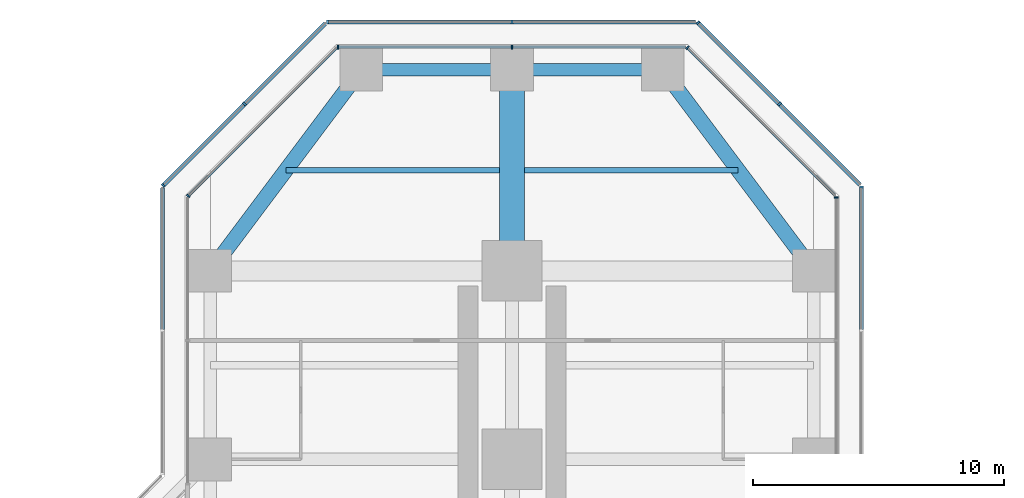
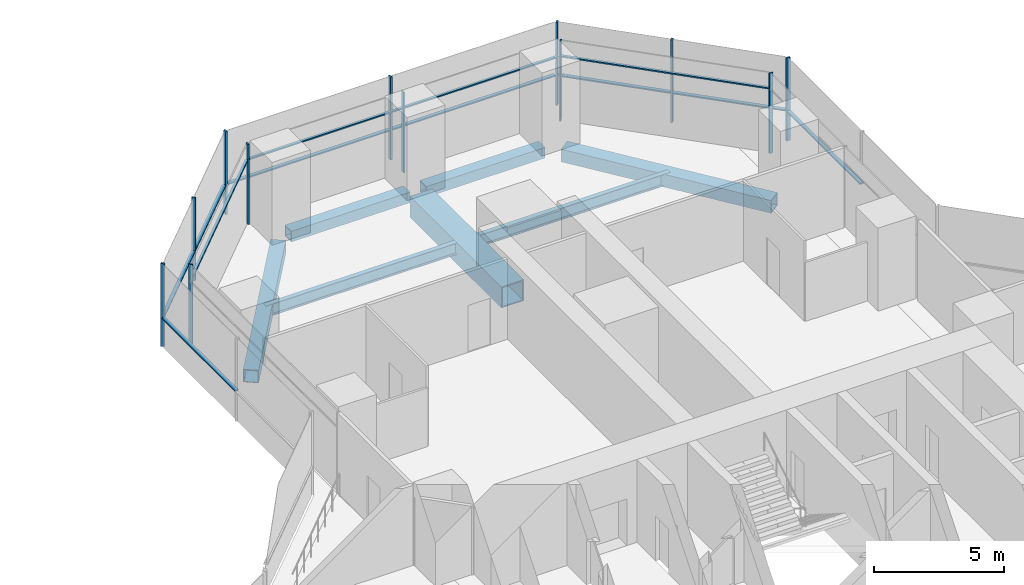
# One storey, part 13 of 22: 24 members, 7 beams, 9 elements without a shape of their own.
"""IFC4 building model written with IfcOpenShell, lengths in metres."""

from ifc_helpers import new_model, si_unit, direction, frame, origin, origin_2d, place, context, subcontext, project, spatial, rectangle, hollow_rectangle, i_section, extrude, material, material_profile, profile_set, type_object, element, aggregate, save


model = new_model("IFC4")

# Units and contexts
model_context = context("Model", 3, precision=1e-05, world=origin(), true_north=direction((0.0, 1.0)))
body_context = subcontext(model_context, "Body", "Model", "MODEL_VIEW")
ifc_project = project(units=[si_unit("LENGTHUNIT", "METRE"), si_unit("AREAUNIT", "SQUARE_METRE"), si_unit("VOLUMEUNIT", "CUBIC_METRE"), si_unit("PLANEANGLEUNIT", "RADIAN"), si_unit("MASSUNIT", "GRAM", prefix="KILO")], contexts=[model_context])

# Site, building, storey
site_placement = place(None, origin())
site = spatial("IfcSite", under=ifc_project, at=site_placement, CompositionType="ELEMENT")
building_placement = place(site_placement, origin())
building = spatial("IfcBuilding", under=site, at=building_placement, Name="Mizan Broadcast Tower", CompositionType="ELEMENT")
storey_placement = place(building_placement, frame((0.0, 0.0, 78.60009765625)))
storey = spatial("IfcBuildingStorey", under=building, at=storey_placement, Name="L16", CompositionType="ELEMENT", Elevation=78.60009765625)

# Beams
ifc_material_1 = material(Name="Steel S355", Category="steel")
ifc_material_profile_1 = material_profile(ifc_material_1, hollow_rectangle(XDim=0.5, YDim=0.5, WallThickness=0.030029296875, at=origin_2d()), Name="BOX 500x500x30")
ifc_profile_set_1 = profile_set([ifc_material_profile_1], Name="Steel S355")
beam_type_1 = type_object("IfcBeamType", Name="EDGE BEAM BOX 500x500x30", PredefinedType="SPANDREL", material=ifc_profile_set_1)
for number, where, z_axis, x_axis, name in (
    (1, (5.639892578125, 35.0, -0.380126953125), (-1.0, 0.0, 0.0), (0.0, -1.0, 0.0), "Edge beam BOX 500x500x30 L16 north arm"),
    (2, (-5.639892578125, 35.0, -0.380126953125), (1.0, 0.0, 0.0), (0.0, 1.0, 0.0), "Edge beam BOX 500x500x30 L16 north arm"),
):
    element("IfcBeam", number, at=place(storey_placement, frame(where, z_axis=z_axis, x_axis=x_axis)), inside=storey, type_object=beam_type_1, Name=name, PredefinedType="SPANDREL", context=body_context, shape_type="SweptSolid", body=[
        extrude(hollow_rectangle(XDim=0.5, YDim=0.5, WallThickness=0.030029296875, at=origin_2d()), origin(), (0.0, 0.0, 1.0), 5.27978515625),
    ])
ifc_material_2 = material(Name="Steel S355", Category="steel")
ifc_material_profile_2 = material_profile(ifc_material_2, hollow_rectangle(XDim=0.60009765625, YDim=0.60009765625, WallThickness=0.030029296875, at=origin_2d()), Name="BOX 600x600x30")
ifc_profile_set_2 = profile_set([ifc_material_profile_2], Name="Steel S355")
beam_type_2 = type_object("IfcBeamType", Name="EDGE BEAM BOX 600x600x30", PredefinedType="SPANDREL", material=ifc_profile_set_2)
for number, where, z_axis, x_axis, name in (
    (3, (11.639892578125, 27.47998046875, -0.43017578125), (-0.599982243973, 0.800013316712, 0.0), (-0.800013316712, -0.599982243973, 0.0), "Edge beam BOX 600x600x30 L16 north arm"),
    (4, (-11.639892578125, 27.47998046875, -0.43017578125), (0.599982243973, 0.800013316712, 0.0), (-0.800013316712, 0.599982243973, 0.0), "Edge beam BOX 600x600x30 L16 north arm"),
):
    element("IfcBeam", number, at=place(storey_placement, frame(where, z_axis=z_axis, x_axis=x_axis)), inside=storey, type_object=beam_type_2, Name=name, PredefinedType="SPANDREL", context=body_context, shape_type="SweptSolid", body=[
        extrude(hollow_rectangle(XDim=0.60009765625, YDim=0.60009765625, WallThickness=0.030029296875, at=origin_2d()), origin(), (0.0, 0.0, 1.0), 8.7998046875),
    ])
ifc_material_3 = material(Name="Steel S460", Category="steel")
ifc_material_profile_3 = material_profile(ifc_material_3, hollow_rectangle(XDim=1.0, YDim=1.0, WallThickness=0.06005859375, at=origin_2d()), Name="BOX 1000x1000x60")
ifc_profile_set_3 = profile_set([ifc_material_profile_3], Name="Steel S460")
beam_type_3 = type_object("IfcBeamType", Name="GIRDER BOX 1000x1000x60", PredefinedType="BEAM", material=ifc_profile_set_3)
beam_placement = place(storey_placement, frame((0.0, 27.47998046875, -0.630126953125), z_axis=(0.0, 1.0, 0.0), x_axis=(-1.0, 0.0, 0.0)))
element("IfcBeam", 5, at=beam_placement, inside=storey, type_object=beam_type_3, Name="Girder BOX 1000x1000x60 L16 north arm", PredefinedType="BEAM", context=body_context, shape_type="SweptSolid", body=[
    extrude(hollow_rectangle(XDim=1.0, YDim=1.0, WallThickness=0.06005859375, at=origin_2d()), origin(), (0.0, 0.0, 1.0), 7.0400390625),
])

# Curtain wall, member
ifc_material_4 = material(Name="Aluminium framed glazing", Category="aluminium")
curtain_wall_type_1 = type_object("IfcCurtainWallType", Name="INNER SKIN LOW ZONE", PredefinedType="USERDEFINED", material=ifc_material_4)
curtain_wall_1_placement = place(storey_placement, origin())
curtain_wall_1 = element("IfcCurtainWall", 6, at=curtain_wall_1_placement, inside=storey, type_object=curtain_wall_type_1, Name="Inner skin low zone L16 N side", ObjectType="INNER SKIN LOW ZONE", PredefinedType="USERDEFINED")
ifc_material_5 = material(Name="Aluminium, pale anodised", Category="aluminium")
ifc_material_profile_4 = material_profile(ifc_material_5, rectangle(XDim=0.159912109375, YDim=0.06005859375, at=origin_2d()), Name="MULLION 160x60")
ifc_profile_set_4 = profile_set([ifc_material_profile_4], Name="Aluminium, pale anodised")
member_type_1 = type_object("IfcMemberType", Name="INNER SKIN MULLION 60x160", PredefinedType="MULLION", material=ifc_profile_set_4)
member_1_placement = place(storey_placement, frame((12.89990234375, 29.928466796875, 0.0), z_axis=(0.0, 0.0, 1.0), x_axis=(-1.0, 0.0, 0.0)))
member_1 = element("IfcMember", 7, at=member_1_placement, type_object=member_type_1, Name="Inner skin low zone L16 N side mullion 3", PredefinedType="MULLION", context=body_context, shape_type="SweptSolid", body=[
    extrude(rectangle(XDim=0.159912109375, YDim=0.06005859375, at=origin_2d()), origin(), (0.0, 0.0, 1.0), 3.77001953125),
])
aggregate(curtain_wall_1, [member_1])

curtain_wall_2_placement = place(storey_placement, origin())
curtain_wall_2 = element("IfcCurtainWall", 8, at=curtain_wall_2_placement, inside=storey, type_object=curtain_wall_type_1, Name="Inner skin low zone L16 N chamfer", ObjectType="INNER SKIN LOW ZONE", PredefinedType="USERDEFINED")
member_2_placement = place(storey_placement, frame((6.979736328125, 35.87890625, 0.0), z_axis=(0.0, 0.0, 1.0), x_axis=(-0.707106781187, -0.707106781187, 0.0)))
member_2 = element("IfcMember", 9, at=member_2_placement, type_object=member_type_1, Name="Inner skin low zone L16 N chamfer mullion 2", PredefinedType="MULLION", context=body_context, shape_type="SweptSolid", body=[
    extrude(rectangle(XDim=0.159912109375, YDim=0.06005859375, at=origin_2d()), origin(), (0.0, 0.0, 1.0), 3.77001953125),
])

# Curtain wall, members
curtain_wall_3_placement = place(storey_placement, origin())
curtain_wall_3 = element("IfcCurtainWall", 10, at=curtain_wall_3_placement, inside=storey, type_object=curtain_wall_type_1, Name="Inner skin low zone L16 N end", ObjectType="INNER SKIN LOW ZONE", PredefinedType="USERDEFINED")
member_3_placement = place(storey_placement, frame((0.0, 35.89990234375, 0.0), z_axis=(0.0, 0.0, 1.0), x_axis=(0.0, -1.0, 0.0)))
member_3 = element("IfcMember", 11, at=member_3_placement, type_object=member_type_1, Name="Inner skin low zone L16 N end mullion 2", PredefinedType="MULLION", context=body_context, shape_type="SweptSolid", body=[
    extrude(rectangle(XDim=0.159912109375, YDim=0.06005859375, at=origin_2d()), origin(), (0.0, 0.0, 1.0), 3.77001953125),
])
member_4_placement = place(storey_placement, frame((-6.928466796875, 35.89990234375, 0.0), z_axis=(0.0, 0.0, 1.0), x_axis=(0.0, -1.0, 0.0)))
member_4 = element("IfcMember", 12, at=member_4_placement, type_object=member_type_1, Name="Inner skin low zone L16 N end mullion 3", PredefinedType="MULLION", context=body_context, shape_type="SweptSolid", body=[
    extrude(rectangle(XDim=0.159912109375, YDim=0.06005859375, at=origin_2d()), origin(), (0.0, 0.0, 1.0), 3.77001953125),
])

# Curtain wall, member
curtain_wall_4_placement = place(storey_placement, origin())
curtain_wall_4 = element("IfcCurtainWall", 13, at=curtain_wall_4_placement, inside=storey, type_object=curtain_wall_type_1, Name="Inner skin low zone L16 N chamfer", ObjectType="INNER SKIN LOW ZONE", PredefinedType="USERDEFINED")
member_5_placement = place(storey_placement, frame((-12.87890625, 29.979736328125, 0.0), z_axis=(0.0, 0.0, 1.0), x_axis=(0.707106781187, -0.707106781187, 0.0)))
member_5 = element("IfcMember", 14, at=member_5_placement, type_object=member_type_1, Name="Inner skin low zone L16 N chamfer mullion 2", PredefinedType="MULLION", context=body_context, shape_type="SweptSolid", body=[
    extrude(rectangle(XDim=0.159912109375, YDim=0.06005859375, at=origin_2d()), origin(), (0.0, 0.0, 1.0), 3.77001953125),
])

# Member
ifc_material_6 = material(Name="Aluminium, pale anodised", Category="aluminium")
ifc_material_profile_5 = material_profile(ifc_material_6, rectangle(XDim=0.1201171875, YDim=0.06005859375, at=origin_2d()), Name="TRANSOM 120x60")
ifc_profile_set_5 = profile_set([ifc_material_profile_5], Name="Aluminium, pale anodised")
member_type_2 = type_object("IfcMemberType", Name="INNER SKIN TRANSOM 60x120", PredefinedType="USERDEFINED", material=ifc_profile_set_5)
member_6_placement = place(storey_placement, frame((12.857666015625, 30.0009765625, 3.02978515625), z_axis=(-0.707106781187, 0.707106781187, 0.0), x_axis=(-0.707106781187, -0.707106781187, 0.0)))
member_6 = element("IfcMember", 15, at=member_6_placement, type_object=member_type_2, Name="Inner skin low zone L16 N chamfer transom 1.1", ObjectType="TRANSOM", PredefinedType="USERDEFINED", context=body_context, shape_type="SweptSolid", body=[
    extrude(rectangle(XDim=0.1201171875, YDim=0.06005859375, at=origin_2d()), origin(), (0.0, 0.0, 1.0), 8.28271484375),
])

aggregate(curtain_wall_2, [member_2, member_6])

member_7_placement = place(storey_placement, frame((6.898681640625, 35.89990234375, 3.02978515625), z_axis=(-1.0, 0.0, 0.0), x_axis=(0.0, -1.0, 0.0)))
member_7 = element("IfcMember", 16, at=member_7_placement, type_object=member_type_2, Name="Inner skin low zone L16 N end transom 1.1", ObjectType="TRANSOM", PredefinedType="USERDEFINED", context=body_context, shape_type="SweptSolid", body=[
    extrude(rectangle(XDim=0.1201171875, YDim=0.06005859375, at=origin_2d()), origin(), (0.0, 0.0, 1.0), 6.86865234375),
])

member_8_placement = place(storey_placement, frame((-0.030029296875, 35.89990234375, 3.02978515625), z_axis=(-1.0, 0.0, 0.0), x_axis=(0.0, -1.0, 0.0)))
member_8 = element("IfcMember", 17, at=member_8_placement, type_object=member_type_2, Name="Inner skin low zone L16 N end transom 2.1", ObjectType="TRANSOM", PredefinedType="USERDEFINED", context=body_context, shape_type="SweptSolid", body=[
    extrude(rectangle(XDim=0.1201171875, YDim=0.06005859375, at=origin_2d()), origin(), (0.0, 0.0, 1.0), 6.86865234375),
])

aggregate(curtain_wall_3, [member_3, member_4, member_7, member_8])

member_9_placement = place(storey_placement, frame((-7.0009765625, 35.857666015625, 3.02978515625), z_axis=(-0.707106781187, -0.707106781187, 0.0), x_axis=(0.707106781187, -0.707106781187, 0.0)))
member_9 = element("IfcMember", 18, at=member_9_placement, type_object=member_type_2, Name="Inner skin low zone L16 N chamfer transom 1.1", ObjectType="TRANSOM", PredefinedType="USERDEFINED", context=body_context, shape_type="SweptSolid", body=[
    extrude(rectangle(XDim=0.1201171875, YDim=0.06005859375, at=origin_2d()), origin(), (0.0, 0.0, 1.0), 8.28271484375),
])

aggregate(curtain_wall_4, [member_5, member_9])

# Curtain wall, member
ifc_material_7 = material(Name="Aluminium framed glazing", Category="aluminium")
curtain_wall_type_2 = type_object("IfcCurtainWallType", Name="OUTER SKIN", PredefinedType="USERDEFINED", material=ifc_material_7)
curtain_wall_5_placement = place(storey_placement, origin())
curtain_wall_5 = element("IfcCurtainWall", 19, at=curtain_wall_5_placement, inside=storey, type_object=curtain_wall_type_2, Name="Outer skin L16 N side", ObjectType="OUTER SKIN", PredefinedType="USERDEFINED")
ifc_material_8 = material(Name="Aluminium, pale anodised", Category="aluminium")
ifc_material_profile_6 = material_profile(ifc_material_8, rectangle(XDim=0.159912109375, YDim=0.080078125, at=origin_2d()), Name="MULLION 160x80")
ifc_profile_set_6 = profile_set([ifc_material_profile_6], Name="Aluminium, pale anodised")
member_type_3 = type_object("IfcMemberType", Name="OUTER SKIN MULLION 80x160", PredefinedType="MULLION", material=ifc_profile_set_6)
member_10_placement = place(storey_placement, frame((13.89990234375, 30.332763671875, 0.0), z_axis=(0.0, 0.0, 1.0), x_axis=(-1.0, 0.0, 0.0)))
member_10 = element("IfcMember", 20, at=member_10_placement, type_object=member_type_3, Name="Outer skin L16 N side mullion 3", PredefinedType="MULLION", context=body_context, shape_type="SweptSolid", body=[
    extrude(rectangle(XDim=0.159912109375, YDim=0.080078125, at=origin_2d()), origin(), (0.0, 0.0, 1.0), 3.89990234375),
])

# Curtain wall, members
curtain_wall_6_placement = place(storey_placement, origin())
curtain_wall_6 = element("IfcCurtainWall", 21, at=curtain_wall_6_placement, inside=storey, type_object=curtain_wall_type_2, Name="Outer skin L16 N chamfer", ObjectType="OUTER SKIN", PredefinedType="USERDEFINED")
member_11_placement = place(storey_placement, frame((10.636474609375, 33.636474609375, 0.0), z_axis=(0.0, 0.0, 1.0), x_axis=(-0.707106781187, -0.707106781187, 0.0)))
member_11 = element("IfcMember", 22, at=member_11_placement, type_object=member_type_3, Name="Outer skin L16 N chamfer mullion 2", PredefinedType="MULLION", context=body_context, shape_type="SweptSolid", body=[
    extrude(rectangle(XDim=0.159912109375, YDim=0.080078125, at=origin_2d()), origin(), (0.0, 0.0, 1.0), 3.89990234375),
])
member_12_placement = place(storey_placement, frame((7.401123046875, 36.871826171875, 0.0), z_axis=(0.0, 0.0, 1.0), x_axis=(-0.707106781187, -0.707106781187, 0.0)))
member_12 = element("IfcMember", 23, at=member_12_placement, type_object=member_type_3, Name="Outer skin L16 N chamfer mullion 3", PredefinedType="MULLION", context=body_context, shape_type="SweptSolid", body=[
    extrude(rectangle(XDim=0.159912109375, YDim=0.080078125, at=origin_2d()), origin(), (0.0, 0.0, 1.0), 3.89990234375),
])

curtain_wall_7_placement = place(storey_placement, origin())
curtain_wall_7 = element("IfcCurtainWall", 24, at=curtain_wall_7_placement, inside=storey, type_object=curtain_wall_type_2, Name="Outer skin L16 N end", ObjectType="OUTER SKIN", PredefinedType="USERDEFINED")
member_13_placement = place(storey_placement, frame((0.0, 36.89990234375, 0.0), z_axis=(0.0, 0.0, 1.0), x_axis=(0.0, -1.0, 0.0)))
member_13 = element("IfcMember", 25, at=member_13_placement, type_object=member_type_3, Name="Outer skin L16 N end mullion 2", PredefinedType="MULLION", context=body_context, shape_type="SweptSolid", body=[
    extrude(rectangle(XDim=0.159912109375, YDim=0.080078125, at=origin_2d()), origin(), (0.0, 0.0, 1.0), 3.89990234375),
])
member_14_placement = place(storey_placement, frame((-7.332763671875, 36.89990234375, 0.0), z_axis=(0.0, 0.0, 1.0), x_axis=(0.0, -1.0, 0.0)))
member_14 = element("IfcMember", 26, at=member_14_placement, type_object=member_type_3, Name="Outer skin L16 N end mullion 3", PredefinedType="MULLION", context=body_context, shape_type="SweptSolid", body=[
    extrude(rectangle(XDim=0.159912109375, YDim=0.080078125, at=origin_2d()), origin(), (0.0, 0.0, 1.0), 3.89990234375),
])

curtain_wall_8_placement = place(storey_placement, origin())
curtain_wall_8 = element("IfcCurtainWall", 27, at=curtain_wall_8_placement, inside=storey, type_object=curtain_wall_type_2, Name="Outer skin L16 N chamfer", ObjectType="OUTER SKIN", PredefinedType="USERDEFINED")
member_15_placement = place(storey_placement, frame((-10.636474609375, 33.636474609375, 0.0), z_axis=(0.0, 0.0, 1.0), x_axis=(0.707106781187, -0.707106781187, 0.0)))
member_15 = element("IfcMember", 28, at=member_15_placement, type_object=member_type_3, Name="Outer skin L16 N chamfer mullion 2", PredefinedType="MULLION", context=body_context, shape_type="SweptSolid", body=[
    extrude(rectangle(XDim=0.159912109375, YDim=0.080078125, at=origin_2d()), origin(), (0.0, 0.0, 1.0), 3.89990234375),
])
member_16_placement = place(storey_placement, frame((-13.871826171875, 30.401123046875, 0.0), z_axis=(0.0, 0.0, 1.0), x_axis=(0.707106781187, -0.707106781187, 0.0)))
member_16 = element("IfcMember", 29, at=member_16_placement, type_object=member_type_3, Name="Outer skin L16 N chamfer mullion 3", PredefinedType="MULLION", context=body_context, shape_type="SweptSolid", body=[
    extrude(rectangle(XDim=0.159912109375, YDim=0.080078125, at=origin_2d()), origin(), (0.0, 0.0, 1.0), 3.89990234375),
])

# Member
ifc_material_9 = material(Name="Aluminium, pale anodised", Category="aluminium")
ifc_material_profile_7 = material_profile(ifc_material_9, rectangle(XDim=0.159912109375, YDim=0.06005859375, at=origin_2d()), Name="TRANSOM 160x60")
ifc_profile_set_7 = profile_set([ifc_material_profile_7], Name="Aluminium, pale anodised")
member_type_4 = type_object("IfcMemberType", Name="OUTER SKIN TRANSOM 60x160", PredefinedType="USERDEFINED", material=ifc_profile_set_7)
member_17_placement = place(storey_placement, frame((13.89990234375, 24.662841796875, 1.39990234375), z_axis=(0.0, 1.0, 0.0), x_axis=(-1.0, 0.0, 0.0)))
member_17 = element("IfcMember", 30, at=member_17_placement, type_object=member_type_4, Name="Outer skin L16 N side transom 2.1", ObjectType="TRANSOM", PredefinedType="USERDEFINED", context=body_context, shape_type="SweptSolid", body=[
    extrude(rectangle(XDim=0.159912109375, YDim=0.06005859375, at=origin_2d()), origin(), (0.0, 0.0, 1.0), 5.6298828125),
])

aggregate(curtain_wall_5, [member_10, member_17])

member_18_placement = place(storey_placement, frame((13.843505859375, 30.429443359375, 1.39990234375), z_axis=(-0.707106781187, 0.707106781187, 0.0), x_axis=(-0.707106781187, -0.707106781187, 0.0)))
member_18 = element("IfcMember", 31, at=member_18_placement, type_object=member_type_4, Name="Outer skin L16 N chamfer transom 1.1", ObjectType="TRANSOM", PredefinedType="USERDEFINED", context=body_context, shape_type="SweptSolid", body=[
    extrude(rectangle(XDim=0.159912109375, YDim=0.06005859375, at=origin_2d()), origin(), (0.0, 0.0, 1.0), 4.495361328125),
])

member_19_placement = place(storey_placement, frame((10.608154296875, 33.664794921875, 1.39990234375), z_axis=(-0.707106781187, 0.707106781187, 0.0), x_axis=(-0.707106781187, -0.707106781187, 0.0)))
member_19 = element("IfcMember", 32, at=member_19_placement, type_object=member_type_4, Name="Outer skin L16 N chamfer transom 2.1", ObjectType="TRANSOM", PredefinedType="USERDEFINED", context=body_context, shape_type="SweptSolid", body=[
    extrude(rectangle(XDim=0.159912109375, YDim=0.06005859375, at=origin_2d()), origin(), (0.0, 0.0, 1.0), 4.495361328125),
])

aggregate(curtain_wall_6, [member_11, member_12, member_18, member_19])

member_20_placement = place(storey_placement, frame((7.292724609375, 36.89990234375, 1.39990234375), z_axis=(-1.0, 0.0, 0.0), x_axis=(0.0, -1.0, 0.0)))
member_20 = element("IfcMember", 33, at=member_20_placement, type_object=member_type_4, Name="Outer skin L16 N end transom 1.1", ObjectType="TRANSOM", PredefinedType="USERDEFINED", context=body_context, shape_type="SweptSolid", body=[
    extrude(rectangle(XDim=0.159912109375, YDim=0.06005859375, at=origin_2d()), origin(), (0.0, 0.0, 1.0), 7.252685546875),
])

member_21_placement = place(storey_placement, frame((-0.0400390625, 36.89990234375, 1.39990234375), z_axis=(-1.0, 0.0, 0.0), x_axis=(0.0, -1.0, 0.0)))
member_21 = element("IfcMember", 34, at=member_21_placement, type_object=member_type_4, Name="Outer skin L16 N end transom 2.1", ObjectType="TRANSOM", PredefinedType="USERDEFINED", context=body_context, shape_type="SweptSolid", body=[
    extrude(rectangle(XDim=0.159912109375, YDim=0.06005859375, at=origin_2d()), origin(), (0.0, 0.0, 1.0), 7.252685546875),
])

aggregate(curtain_wall_7, [member_13, member_14, member_20, member_21])

member_22_placement = place(storey_placement, frame((-7.429443359375, 36.843505859375, 1.39990234375), z_axis=(-0.707106781187, -0.707106781187, 0.0), x_axis=(0.707106781187, -0.707106781187, 0.0)))
member_22 = element("IfcMember", 35, at=member_22_placement, type_object=member_type_4, Name="Outer skin L16 N chamfer transom 1.1", ObjectType="TRANSOM", PredefinedType="USERDEFINED", context=body_context, shape_type="SweptSolid", body=[
    extrude(rectangle(XDim=0.159912109375, YDim=0.06005859375, at=origin_2d()), origin(), (0.0, 0.0, 1.0), 4.495361328125),
])

member_23_placement = place(storey_placement, frame((-10.664794921875, 33.608154296875, 1.39990234375), z_axis=(-0.707106781187, -0.707106781187, 0.0), x_axis=(0.707106781187, -0.707106781187, 0.0)))
member_23 = element("IfcMember", 36, at=member_23_placement, type_object=member_type_4, Name="Outer skin L16 N chamfer transom 2.1", ObjectType="TRANSOM", PredefinedType="USERDEFINED", context=body_context, shape_type="SweptSolid", body=[
    extrude(rectangle(XDim=0.159912109375, YDim=0.06005859375, at=origin_2d()), origin(), (0.0, 0.0, 1.0), 4.495361328125),
])

aggregate(curtain_wall_8, [member_15, member_16, member_22, member_23])

# Curtain wall, member
curtain_wall_9_placement = place(storey_placement, origin())
curtain_wall_9 = element("IfcCurtainWall", 37, at=curtain_wall_9_placement, inside=storey, type_object=curtain_wall_type_2, Name="Outer skin L16 N side", ObjectType="OUTER SKIN", PredefinedType="USERDEFINED")
member_24_placement = place(storey_placement, frame((-13.89990234375, 30.292724609375, 1.39990234375), z_axis=(0.0, -1.0, 0.0), x_axis=(1.0, 0.0, 0.0)))
member_24 = element("IfcMember", 38, at=member_24_placement, type_object=member_type_4, Name="Outer skin L16 N side transom 1.1", ObjectType="TRANSOM", PredefinedType="USERDEFINED", context=body_context, shape_type="SweptSolid", body=[
    extrude(rectangle(XDim=0.159912109375, YDim=0.06005859375, at=origin_2d()), origin(), (0.0, 0.0, 1.0), 5.6298828125),
])
aggregate(curtain_wall_9, [member_24])

# Beams
ifc_material_10 = material(Name="Steel S355", Category="steel")
ifc_material_profile_8 = material_profile(ifc_material_10, i_section(OverallWidth=0.2099609375, OverallDepth=0.550048828125, WebThickness=0.010986328125, FlangeThickness=0.01708984375, FilletRadius=0.02392578125, at=origin_2d()), Name="IPE 550")
ifc_profile_set_8 = profile_set([ifc_material_profile_8], Name="Steel S355")
beam_type_4 = type_object("IfcBeamType", Name="SECONDARY BEAM IPE 550", PredefinedType="JOIST", material=ifc_profile_set_8)
for number, where, z_axis, x_axis, name in (
    (39, (9.0, 31.0, -0.405029296875), (-1.0, 0.0, 0.0), (0.0, -1.0, 0.0), "Secondary beam IPE 550 L16 north arm"),
    (40, (-9.0, 31.0, -0.405029296875), (1.0, 0.0, 0.0), (0.0, 1.0, 0.0), "Secondary beam IPE 550 L16 north arm"),
):
    element("IfcBeam", number, at=place(storey_placement, frame(where, z_axis=z_axis, x_axis=x_axis)), inside=storey, type_object=beam_type_4, Name=name, PredefinedType="JOIST", context=body_context, shape_type="SweptSolid", body=[
        extrude(i_section(OverallWidth=0.2099609375, OverallDepth=0.550048828125, WebThickness=0.010986328125, FlangeThickness=0.01708984375, FilletRadius=0.02392578125, at=origin_2d()), origin(), (0.0, 0.0, 1.0), 8.5),
    ])

save(model, "model.ifc")
